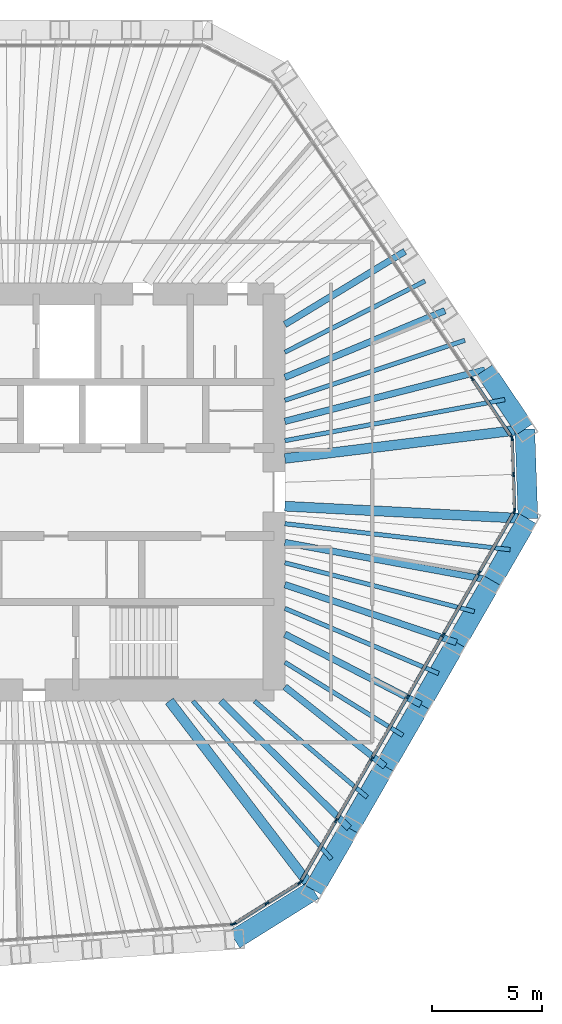
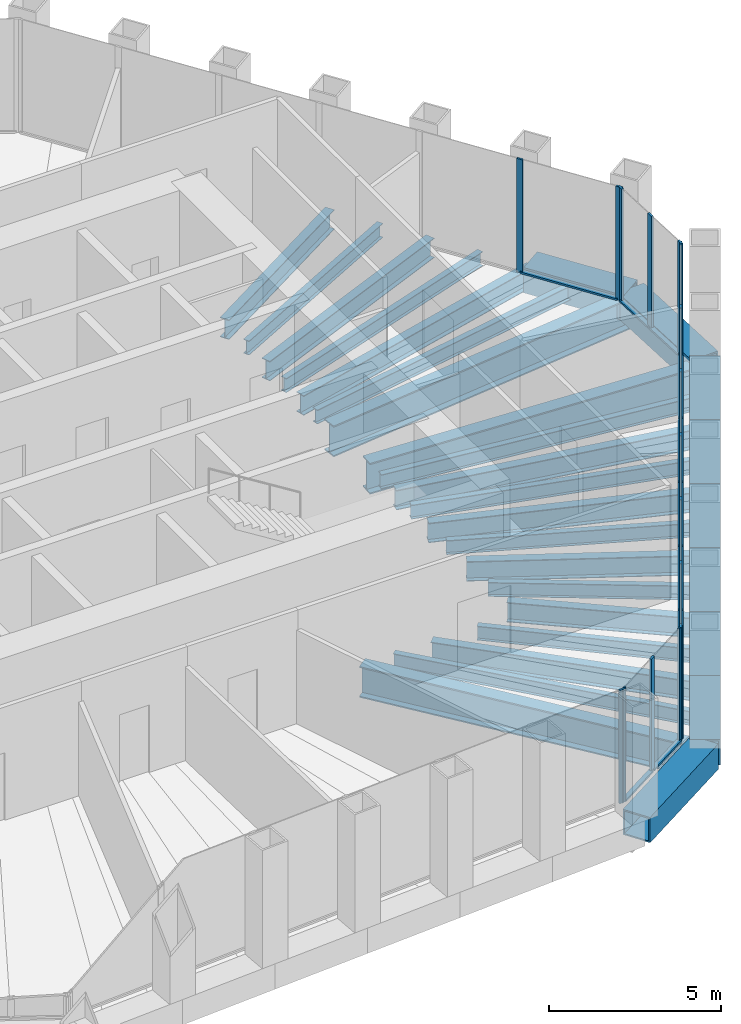
# One storey, part 5 of 14: 29 beams, 27 members, 5 elements without a shape of their own.
"""IFC4 building model written with IfcOpenShell, lengths in metres."""

from ifc_helpers import new_model, si_unit, direction, frame, origin, origin_2d, place, context, subcontext, project, spatial, rectangle, hollow_rectangle, i_section, extrude, material, material_profile, profile_set, type_object, element, aggregate, save


model = new_model("IFC4")

# Units and contexts
model_context = context("Model", 3, precision=1e-05, world=origin(), true_north=direction((0.0, 1.0)))
body_context = subcontext(model_context, "Body", "Model", "MODEL_VIEW")
ifc_project = project(units=[si_unit("LENGTHUNIT", "METRE"), si_unit("AREAUNIT", "SQUARE_METRE"), si_unit("VOLUMEUNIT", "CUBIC_METRE"), si_unit("PLANEANGLEUNIT", "RADIAN"), si_unit("MASSUNIT", "GRAM", prefix="KILO")], contexts=[model_context])

# Site, building, storey
site_placement = place(None, origin())
site = spatial("IfcSite", under=ifc_project, at=site_placement, CompositionType="ELEMENT")
building_placement = place(site_placement, origin())
building = spatial("IfcBuilding", under=site, at=building_placement, Name="Qingtian Harvest Tower", CompositionType="ELEMENT")
storey_placement = place(building_placement, frame((0.0, 0.0, 270.39990234375)))
storey = spatial("IfcBuildingStorey", under=building, at=storey_placement, Name="L59", CompositionType="ELEMENT", Elevation=270.39990234375)

# Beams
ifc_material_1 = material(Name="Steel SM570MC", Category="steel")
ifc_material_profile_1 = material_profile(ifc_material_1, i_section(OverallWidth=0.449951171875, OverallDepth=1.10009765625, WebThickness=0.02197265625, FlangeThickness=0.044921875, at=origin_2d()), Name="H1100x450x22x45")
ifc_profile_set_1 = profile_set([ifc_material_profile_1], Name="Steel SM570MC")
beam_type_1 = type_object("IfcBeamType", Name="Corner floor beam FB8 H1100x450x22x45", PredefinedType="BEAM", material=ifc_profile_set_1)
beam_1_placement = place(storey_placement, frame((23.405517578125, 2.85400390625, -0.719970703125), z_axis=(-0.99264704984, -0.12104476215, 0.0), x_axis=(0.12104476215, -0.99264704984, 0.0)))
element("IfcBeam", 1, at=beam_1_placement, inside=storey, type_object=beam_type_1, Name="Floor beam FB8 NE6", PredefinedType="BEAM", context=body_context, shape_type="SweptSolid", body=[
    extrude(i_section(OverallWidth=0.449951171875, OverallDepth=1.10009765625, WebThickness=0.02197265625, FlangeThickness=0.044921875, at=origin_2d()), origin(), (0.0, 0.0, 1.0), 10.986328125),
])
beam_2_placement = place(storey_placement, frame((23.547607421875, -1.21435546875, -0.719970703125), z_axis=(-0.998672453152, 0.051510497131, 0.0), x_axis=(-0.051510497131, -0.998672453152, 0.0)))
element("IfcBeam", 2, at=beam_2_placement, inside=storey, type_object=beam_type_1, Name="Floor beam FB8 SE0", PredefinedType="BEAM", context=body_context, shape_type="SweptSolid", body=[
    extrude(i_section(OverallWidth=0.449951171875, OverallDepth=1.10009765625, WebThickness=0.02197265625, FlangeThickness=0.044921875, at=origin_2d()), origin(), (0.0, 0.0, 1.0), 11.062255859375),
])
beam_3_placement = place(storey_placement, frame((13.803466796875, -18.091552734375, -0.719970703125), z_axis=(-0.60658352266, 0.795019767073, 0.0), x_axis=(-0.795019767073, -0.60658352266, 0.0)))
element("IfcBeam", 3, at=beam_3_placement, inside=storey, type_object=beam_type_1, Name="Floor beam FB8 SE6", PredefinedType="BEAM", context=body_context, shape_type="SweptSolid", body=[
    extrude(i_section(OverallWidth=0.449951171875, OverallDepth=1.10009765625, WebThickness=0.02197265625, FlangeThickness=0.044921875, at=origin_2d()), origin(), (0.0, 0.0, 1.0), 10.806640625),
])
ifc_material_2 = material(Name="Steel SN490B", Category="steel")
ifc_material_profile_2 = material_profile(ifc_material_2, i_section(OverallWidth=0.300048828125, OverallDepth=0.699951171875, WebThickness=0.012939453125, FlangeThickness=0.02392578125, at=origin_2d()), Name="H700x300x13x24")
ifc_profile_set_2 = profile_set([ifc_material_profile_2], Name="Steel SN490B")
beam_type_2 = type_object("IfcBeamType", Name="Floor beam FB4 H700x300x13x24", PredefinedType="BEAM", material=ifc_profile_set_2)
beam_4_placement = place(storey_placement, frame((17.956787109375, 10.93212890625, -0.52001953125), z_axis=(-0.854163869478, -0.520003926983, 0.0), x_axis=(0.520003926983, -0.854163869478, 0.0)))
element("IfcBeam", 4, at=beam_4_placement, inside=storey, type_object=beam_type_2, Name="Floor beam FB4 NE3", PredefinedType="BEAM", context=body_context, shape_type="SweptSolid", body=[
    extrude(i_section(OverallWidth=0.300048828125, OverallDepth=0.699951171875, WebThickness=0.012939453125, FlangeThickness=0.02392578125, at=origin_2d()), origin(), (0.0, 0.0, 1.0), 6.388427734375),
])
beam_5_placement = place(storey_placement, frame((19.77294921875, 8.2392578125, -0.52001953125), z_axis=(-0.923071422518, -0.38462858569, 0.0), x_axis=(0.38462858569, -0.923071422518, 0.0)))
element("IfcBeam", 5, at=beam_5_placement, inside=storey, type_object=beam_type_2, Name="Floor beam FB4 NE4", PredefinedType="BEAM", context=body_context, shape_type="SweptSolid", body=[
    extrude(i_section(OverallWidth=0.300048828125, OverallDepth=0.699951171875, WebThickness=0.012939453125, FlangeThickness=0.02392578125, at=origin_2d()), origin(), (0.0, 0.0, 1.0), 7.879150390625),
])
beam_6_placement = place(storey_placement, frame((21.58935546875, 5.546630859375, -0.52001953125), z_axis=(-0.968545797703, -0.248835362746, 0.0), x_axis=(0.248835362746, -0.968545797703, 0.0)))
element("IfcBeam", 6, at=beam_6_placement, inside=storey, type_object=beam_type_2, Name="Floor beam FB4 NE5", PredefinedType="BEAM", context=body_context, shape_type="SweptSolid", body=[
    extrude(i_section(OverallWidth=0.300048828125, OverallDepth=0.699951171875, WebThickness=0.012939453125, FlangeThickness=0.02392578125, at=origin_2d()), origin(), (0.0, 0.0, 1.0), 9.384521484375),
])
beam_7_placement = place(storey_placement, frame((21.923583984375, -4.027099609375, -0.52001953125), z_axis=(-0.983545410638, 0.180661078303, 0.0), x_axis=(-0.180661078303, -0.983545410638, 0.0)))
element("IfcBeam", 7, at=beam_7_placement, inside=storey, type_object=beam_type_2, Name="Floor beam FB4 SE1", PredefinedType="BEAM", context=body_context, shape_type="SweptSolid", body=[
    extrude(i_section(OverallWidth=0.300048828125, OverallDepth=0.699951171875, WebThickness=0.012939453125, FlangeThickness=0.02392578125, at=origin_2d()), origin(), (0.0, 0.0, 1.0), 9.581298828125),
])
beam_8_placement = place(storey_placement, frame((20.299560546875, -6.840087890625, -0.52001953125), z_axis=(-0.947645968799, 0.319322905253, 0.0), x_axis=(-0.319322905253, -0.947645968799, 0.0)))
element("IfcBeam", 8, at=beam_8_placement, inside=storey, type_object=beam_type_2, Name="Floor beam FB4 SE2", PredefinedType="BEAM", context=body_context, shape_type="SweptSolid", body=[
    extrude(i_section(OverallWidth=0.300048828125, OverallDepth=0.699951171875, WebThickness=0.012939453125, FlangeThickness=0.02392578125, at=origin_2d()), origin(), (0.0, 0.0, 1.0), 8.23046875),
])
beam_9_placement = place(storey_placement, frame((18.675537109375, -9.65283203125, -0.52001953125), z_axis=(-0.888355479692, 0.459156336884, 0.0), x_axis=(-0.459156336884, -0.888355479692, 0.0)))
element("IfcBeam", 9, at=beam_9_placement, inside=storey, type_object=beam_type_2, Name="Floor beam FB4 SE3", PredefinedType="BEAM", context=body_context, shape_type="SweptSolid", body=[
    extrude(i_section(OverallWidth=0.300048828125, OverallDepth=0.699951171875, WebThickness=0.012939453125, FlangeThickness=0.02392578125, at=origin_2d()), origin(), (0.0, 0.0, 1.0), 6.95166015625),
])
beam_10_placement = place(storey_placement, frame((17.051513671875, -12.4658203125, -0.52001953125), z_axis=(-0.783003151269, 0.622017736968, 0.0), x_axis=(-0.622017736968, -0.783003151269, 0.0)))
element("IfcBeam", 10, at=beam_10_placement, inside=storey, type_object=beam_type_2, Name="Floor beam FB4 SE4", PredefinedType="BEAM", context=body_context, shape_type="SweptSolid", body=[
    extrude(i_section(OverallWidth=0.300048828125, OverallDepth=0.699951171875, WebThickness=0.012939453125, FlangeThickness=0.02392578125, at=origin_2d()), origin(), (0.0, 0.0, 1.0), 5.81298828125),
])
beam_11_placement = place(storey_placement, frame((15.427490234375, -15.278564453125, -0.52001953125), z_axis=(-0.710532187344, 0.703664700513, 0.0), x_axis=(-0.703664700513, -0.710532187344, 0.0)))
element("IfcBeam", 11, at=beam_11_placement, inside=storey, type_object=beam_type_2, Name="Floor beam FB4 SE5", PredefinedType="BEAM", context=body_context, shape_type="SweptSolid", body=[
    extrude(i_section(OverallWidth=0.300048828125, OverallDepth=0.699951171875, WebThickness=0.012939453125, FlangeThickness=0.02392578125, at=origin_2d()), origin(), (0.0, 0.0, 1.0), 8.212158203125),
])
ifc_material_3 = material(Name="Steel SN490B", Category="steel")
ifc_material_profile_3 = material_profile(ifc_material_3, i_section(OverallWidth=0.199951171875, OverallDepth=0.5, WebThickness=0.010009765625, FlangeThickness=0.01611328125, at=origin_2d()), Name="H500x200x10x16")
ifc_profile_set_3 = profile_set([ifc_material_profile_3], Name="Steel SN490B")
beam_type_3 = type_object("IfcBeamType", Name="Floor joist J3 H500x200x10x16", PredefinedType="JOIST", material=ifc_profile_set_3)
beam_12_placement = place(storey_placement, frame((18.864990234375, 9.585693359375, -0.419921875), z_axis=(-0.891515522375, -0.452990147094, 0.0), x_axis=(0.452990147094, -0.891515522375, 0.0)))
element("IfcBeam", 12, at=beam_12_placement, inside=storey, type_object=beam_type_3, Name="Floor joist J3 NE3", PredefinedType="JOIST", context=body_context, shape_type="SweptSolid", body=[
    extrude(i_section(OverallWidth=0.199951171875, OverallDepth=0.5, WebThickness=0.010009765625, FlangeThickness=0.01611328125, at=origin_2d()), origin(), (0.0, 0.0, 1.0), 7.139404296875),
])
beam_13_placement = place(storey_placement, frame((20.68115234375, 6.89306640625, -0.419921875), z_axis=(-0.94869179092, -0.316202286267, 0.0), x_axis=(0.316202286267, -0.94869179092, 0.0)))
element("IfcBeam", 13, at=beam_13_placement, inside=storey, type_object=beam_type_3, Name="Floor joist J3 NE4", PredefinedType="JOIST", context=body_context, shape_type="SweptSolid", body=[
    extrude(i_section(OverallWidth=0.199951171875, OverallDepth=0.5, WebThickness=0.010009765625, FlangeThickness=0.01611328125, at=origin_2d()), origin(), (0.0, 0.0, 1.0), 8.62353515625),
])
beam_14_placement = place(storey_placement, frame((22.49755859375, 4.2001953125, -0.419921875), z_axis=(-0.983015918388, -0.183520310038, 0.0), x_axis=(0.183520310038, -0.983015918388, 0.0)))
element("IfcBeam", 14, at=beam_14_placement, inside=storey, type_object=beam_type_3, Name="Floor joist J3 NE5", PredefinedType="JOIST", context=body_context, shape_type="SweptSolid", body=[
    extrude(i_section(OverallWidth=0.199951171875, OverallDepth=0.5, WebThickness=0.010009765625, FlangeThickness=0.01611328125, at=origin_2d()), origin(), (0.0, 0.0, 1.0), 10.17041015625),
])
beam_15_placement = place(storey_placement, frame((22.735595703125, -2.62060546875, -0.419921875), z_axis=(-0.993423767351, 0.114495495381, 0.0), x_axis=(-0.114495495381, -0.993423767351, 0.0)))
element("IfcBeam", 15, at=beam_15_placement, inside=storey, type_object=beam_type_3, Name="Floor joist J3 SE0", PredefinedType="JOIST", context=body_context, shape_type="SweptSolid", body=[
    extrude(i_section(OverallWidth=0.199951171875, OverallDepth=0.5, WebThickness=0.010009765625, FlangeThickness=0.01611328125, at=origin_2d()), origin(), (0.0, 0.0, 1.0), 10.303466796875),
])
beam_16_placement = place(storey_placement, frame((21.111572265625, -5.43359375, -0.419921875), z_axis=(-0.968434631662, 0.249267655738, 0.0), x_axis=(-0.249267655738, -0.968434631662, 0.0)))
element("IfcBeam", 16, at=beam_16_placement, inside=storey, type_object=beam_type_3, Name="Floor joist J3 SE1", PredefinedType="JOIST", context=body_context, shape_type="SweptSolid", body=[
    extrude(i_section(OverallWidth=0.199951171875, OverallDepth=0.5, WebThickness=0.010009765625, FlangeThickness=0.01611328125, at=origin_2d()), origin(), (0.0, 0.0, 1.0), 8.892333984375),
])
beam_17_placement = place(storey_placement, frame((19.487548828125, -8.246337890625, -0.419921875), z_axis=(-0.920942823677, 0.389697723265, 0.0), x_axis=(-0.389697723265, -0.920942823677, 0.0)))
element("IfcBeam", 17, at=beam_17_placement, inside=storey, type_object=beam_type_3, Name="Floor joist J3 SE2", PredefinedType="JOIST", context=body_context, shape_type="SweptSolid", body=[
    extrude(i_section(OverallWidth=0.199951171875, OverallDepth=0.5, WebThickness=0.010009765625, FlangeThickness=0.01611328125, at=origin_2d()), origin(), (0.0, 0.0, 1.0), 7.58740234375),
])
beam_18_placement = place(storey_placement, frame((17.863525390625, -11.059326171875, -0.419921875), z_axis=(-0.850245350939, 0.52638659102, 0.0), x_axis=(-0.52638659102, -0.850245350939, 0.0)))
element("IfcBeam", 18, at=beam_18_placement, inside=storey, type_object=beam_type_3, Name="Floor joist J3 SE3", PredefinedType="JOIST", context=body_context, shape_type="SweptSolid", body=[
    extrude(i_section(OverallWidth=0.199951171875, OverallDepth=0.5, WebThickness=0.010009765625, FlangeThickness=0.01611328125, at=origin_2d()), origin(), (0.0, 0.0, 1.0), 6.30810546875),
])
beam_19_placement = place(storey_placement, frame((16.239501953125, -13.8720703125, -0.419921875), z_axis=(-0.760351288112, 0.649512061987, 0.0), x_axis=(-0.649512061987, -0.760351288112, 0.0)))
element("IfcBeam", 19, at=beam_19_placement, inside=storey, type_object=beam_type_3, Name="Floor joist J3 SE4", PredefinedType="JOIST", context=body_context, shape_type="SweptSolid", body=[
    extrude(i_section(OverallWidth=0.199951171875, OverallDepth=0.5, WebThickness=0.010009765625, FlangeThickness=0.01611328125, at=origin_2d()), origin(), (0.0, 0.0, 1.0), 6.731201171875),
])
beam_20_placement = place(storey_placement, frame((14.615478515625, -16.68505859375, -0.419921875), z_axis=(-0.658906232771, 0.752225083612, 0.0), x_axis=(-0.752225083612, -0.658906232771, 0.0)))
element("IfcBeam", 20, at=beam_20_placement, inside=storey, type_object=beam_type_3, Name="Floor joist J3 SE5", PredefinedType="JOIST", context=body_context, shape_type="SweptSolid", body=[
    extrude(i_section(OverallWidth=0.199951171875, OverallDepth=0.5, WebThickness=0.010009765625, FlangeThickness=0.01611328125, at=origin_2d()), origin(), (0.0, 0.0, 1.0), 9.5517578125),
])

# Curtain wall, members
ifc_material_4 = material(Name="Bronze-anodised aluminium curtain wall", Category="aluminium")
curtain_wall_type = type_object("IfcCurtainWallType", Name="Curtain wall CW5 upper office", PredefinedType="USERDEFINED", material=ifc_material_4)
curtain_wall_1_placement = place(storey_placement, origin())
curtain_wall_1 = element("IfcCurtainWall", 21, at=curtain_wall_1_placement, inside=storey, type_object=curtain_wall_type, Name="Curtain wall CW5 L59 NE0-5", ObjectType="RECESSED CURTAIN WALL", PredefinedType="USERDEFINED")
ifc_material_5 = material(Name="Bronze-anodised aluminium mullion", Category="aluminium")
ifc_material_profile_4 = material_profile(ifc_material_5, rectangle(XDim=0.06494140625, YDim=0.199951171875, at=origin_2d()), Name="AL 65x200")
ifc_profile_set_4 = profile_set([ifc_material_profile_4], Name="Bronze-anodised aluminium mullion")
member_type_1 = type_object("IfcMemberType", Name="Mullion CWM 65x200", PredefinedType="MULLION", material=ifc_profile_set_4)
member_1_placement = place(storey_placement, frame((21.009033203125, 5.1552734375, 0.0), z_axis=(0.0, 0.0, 1.0), x_axis=(0.829037572555, 0.559192903471, 0.0)))
member_1 = element("IfcMember", 22, at=member_1_placement, type_object=member_type_1, Name="CW5 mullion 6", PredefinedType="MULLION", context=body_context, shape_type="SweptSolid", body=[
    extrude(rectangle(XDim=0.06494140625, YDim=0.199951171875, at=origin_2d()), origin(), (0.0, 0.0, 1.0), 4.030029296875),
])
member_2_placement = place(storey_placement, frame((22.80712890625, 2.489501953125, 0.0), z_axis=(0.0, 0.0, 1.0), x_axis=(0.829037572555, 0.559192903471, 0.0)))
member_2 = element("IfcMember", 23, at=member_2_placement, type_object=member_type_1, Name="CW5 mullion 7", PredefinedType="MULLION", context=body_context, shape_type="SweptSolid", body=[
    extrude(rectangle(XDim=0.06494140625, YDim=0.199951171875, at=origin_2d()), origin(), (0.0, 0.0, 1.0), 4.030029296875),
])

curtain_wall_2_placement = place(storey_placement, origin())
curtain_wall_2 = element("IfcCurtainWall", 24, at=curtain_wall_2_placement, inside=storey, type_object=curtain_wall_type, Name="Curtain wall CW5 L59 NEC", ObjectType="RECESSED CURTAIN WALL", PredefinedType="USERDEFINED")
member_3_placement = place(storey_placement, frame((22.826416015625, 2.429931640625, 0.0), z_axis=(0.0, 0.0, 1.0), x_axis=(0.999390827019, 0.034899496703, 0.0)))
member_3 = element("IfcMember", 25, at=member_3_placement, type_object=member_type_1, Name="CW5 mullion 1", PredefinedType="MULLION", context=body_context, shape_type="SweptSolid", body=[
    extrude(rectangle(XDim=0.06494140625, YDim=0.199951171875, at=origin_2d()), origin(), (0.0, 0.0, 1.0), 4.030029296875),
])
member_4_placement = place(storey_placement, frame((22.88330078125, 0.799072265625, 0.0), z_axis=(0.0, 0.0, 1.0), x_axis=(0.999390827019, 0.034899496703, 0.0)))
member_4 = element("IfcMember", 26, at=member_4_placement, type_object=member_type_1, Name="CW5 mullion 2", PredefinedType="MULLION", context=body_context, shape_type="SweptSolid", body=[
    extrude(rectangle(XDim=0.06494140625, YDim=0.199951171875, at=origin_2d()), origin(), (0.0, 0.0, 1.0), 4.030029296875),
])
member_5_placement = place(storey_placement, frame((22.9404296875, -0.831787109375, 0.0), z_axis=(0.0, 0.0, 1.0), x_axis=(0.999390827019, 0.034899496703, 0.0)))
member_5 = element("IfcMember", 27, at=member_5_placement, type_object=member_type_1, Name="CW5 mullion 3", PredefinedType="MULLION", context=body_context, shape_type="SweptSolid", body=[
    extrude(rectangle(XDim=0.06494140625, YDim=0.199951171875, at=origin_2d()), origin(), (0.0, 0.0, 1.0), 4.030029296875),
])

curtain_wall_3_placement = place(storey_placement, origin())
curtain_wall_3 = element("IfcCurtainWall", 28, at=curtain_wall_3_placement, inside=storey, type_object=curtain_wall_type, Name="Curtain wall CW5 L59 SE0-5", ObjectType="RECESSED CURTAIN WALL", PredefinedType="USERDEFINED")
member_6_placement = place(storey_placement, frame((22.92529296875, -0.892333984375, 0.0), z_axis=(0.0, 0.0, 1.0), x_axis=(0.866025403784, -0.5, 0.0)))
member_6 = element("IfcMember", 29, at=member_6_placement, type_object=member_type_1, Name="CW5 mullion 1", PredefinedType="MULLION", context=body_context, shape_type="SweptSolid", body=[
    extrude(rectangle(XDim=0.06494140625, YDim=0.199951171875, at=origin_2d()), origin(), (0.0, 0.0, 1.0), 4.030029296875),
])
member_7_placement = place(storey_placement, frame((21.3173828125, -3.67724609375, 0.0), z_axis=(0.0, 0.0, 1.0), x_axis=(0.866025403784, -0.5, 0.0)))
member_7 = element("IfcMember", 30, at=member_7_placement, type_object=member_type_1, Name="CW5 mullion 2", PredefinedType="MULLION", context=body_context, shape_type="SweptSolid", body=[
    extrude(rectangle(XDim=0.06494140625, YDim=0.199951171875, at=origin_2d()), origin(), (0.0, 0.0, 1.0), 4.030029296875),
])
member_8_placement = place(storey_placement, frame((19.693359375, -6.489990234375, 0.0), z_axis=(0.0, 0.0, 1.0), x_axis=(0.866025403784, -0.5, 0.0)))
member_8 = element("IfcMember", 31, at=member_8_placement, type_object=member_type_1, Name="CW5 mullion 3", PredefinedType="MULLION", context=body_context, shape_type="SweptSolid", body=[
    extrude(rectangle(XDim=0.06494140625, YDim=0.199951171875, at=origin_2d()), origin(), (0.0, 0.0, 1.0), 4.030029296875),
])
member_9_placement = place(storey_placement, frame((18.0693359375, -9.302978515625, 0.0), z_axis=(0.0, 0.0, 1.0), x_axis=(0.866025403784, -0.5, 0.0)))
member_9 = element("IfcMember", 32, at=member_9_placement, type_object=member_type_1, Name="CW5 mullion 4", PredefinedType="MULLION", context=body_context, shape_type="SweptSolid", body=[
    extrude(rectangle(XDim=0.06494140625, YDim=0.199951171875, at=origin_2d()), origin(), (0.0, 0.0, 1.0), 4.030029296875),
])
member_10_placement = place(storey_placement, frame((16.4453125, -12.11572265625, 0.0), z_axis=(0.0, 0.0, 1.0), x_axis=(0.866025403784, -0.5, 0.0)))
member_10 = element("IfcMember", 33, at=member_10_placement, type_object=member_type_1, Name="CW5 mullion 5", PredefinedType="MULLION", context=body_context, shape_type="SweptSolid", body=[
    extrude(rectangle(XDim=0.06494140625, YDim=0.199951171875, at=origin_2d()), origin(), (0.0, 0.0, 1.0), 4.030029296875),
])
member_11_placement = place(storey_placement, frame((14.8212890625, -14.9287109375, 0.0), z_axis=(0.0, 0.0, 1.0), x_axis=(0.866025403784, -0.5, 0.0)))
member_11 = element("IfcMember", 34, at=member_11_placement, type_object=member_type_1, Name="CW5 mullion 6", PredefinedType="MULLION", context=body_context, shape_type="SweptSolid", body=[
    extrude(rectangle(XDim=0.06494140625, YDim=0.199951171875, at=origin_2d()), origin(), (0.0, 0.0, 1.0), 4.030029296875),
])
member_12_placement = place(storey_placement, frame((13.213623046875, -17.71337890625, 0.0), z_axis=(0.0, 0.0, 1.0), x_axis=(0.866025403784, -0.5, 0.0)))
member_12 = element("IfcMember", 35, at=member_12_placement, type_object=member_type_1, Name="CW5 mullion 7", PredefinedType="MULLION", context=body_context, shape_type="SweptSolid", body=[
    extrude(rectangle(XDim=0.06494140625, YDim=0.199951171875, at=origin_2d()), origin(), (0.0, 0.0, 1.0), 4.030029296875),
])

curtain_wall_4_placement = place(storey_placement, origin())
curtain_wall_4 = element("IfcCurtainWall", 36, at=curtain_wall_4_placement, inside=storey, type_object=curtain_wall_type, Name="Curtain wall CW5 L59 SEC", ObjectType="RECESSED CURTAIN WALL", PredefinedType="USERDEFINED")
member_13_placement = place(storey_placement, frame((13.169921875, -17.7587890625, 0.0), z_axis=(0.0, 0.0, 1.0), x_axis=(0.529919264233, -0.848048096156, 0.0)))
member_13 = element("IfcMember", 37, at=member_13_placement, type_object=member_type_1, Name="CW5 mullion 1", PredefinedType="MULLION", context=body_context, shape_type="SweptSolid", body=[
    extrude(rectangle(XDim=0.06494140625, YDim=0.199951171875, at=origin_2d()), origin(), (0.0, 0.0, 1.0), 4.030029296875),
])
member_14_placement = place(storey_placement, frame((11.678955078125, -18.690185546875, 0.0), z_axis=(0.0, 0.0, 1.0), x_axis=(0.529919264233, -0.848048096156, 0.0)))
member_14 = element("IfcMember", 38, at=member_14_placement, type_object=member_type_1, Name="CW5 mullion 2", PredefinedType="MULLION", context=body_context, shape_type="SweptSolid", body=[
    extrude(rectangle(XDim=0.06494140625, YDim=0.199951171875, at=origin_2d()), origin(), (0.0, 0.0, 1.0), 4.030029296875),
])
member_15_placement = place(storey_placement, frame((10.188232421875, -19.621826171875, 0.0), z_axis=(0.0, 0.0, 1.0), x_axis=(0.529919264233, -0.848048096156, 0.0)))
member_15 = element("IfcMember", 39, at=member_15_placement, type_object=member_type_1, Name="CW5 mullion 3", PredefinedType="MULLION", context=body_context, shape_type="SweptSolid", body=[
    extrude(rectangle(XDim=0.06494140625, YDim=0.199951171875, at=origin_2d()), origin(), (0.0, 0.0, 1.0), 4.030029296875),
])

# Curtain wall, member
curtain_wall_5_placement = place(storey_placement, origin())
curtain_wall_5 = element("IfcCurtainWall", 40, at=curtain_wall_5_placement, inside=storey, type_object=curtain_wall_type, Name="Curtain wall CW5 L59 S0-5", ObjectType="RECESSED CURTAIN WALL", PredefinedType="USERDEFINED")
member_16_placement = place(storey_placement, frame((10.128173828125, -19.641357421875, 0.0), z_axis=(0.0, 0.0, 1.0), x_axis=(0.069756473744, -0.99756405026, 0.0)))
member_16 = element("IfcMember", 41, at=member_16_placement, type_object=member_type_1, Name="CW5 mullion 1", PredefinedType="MULLION", context=body_context, shape_type="SweptSolid", body=[
    extrude(rectangle(XDim=0.06494140625, YDim=0.199951171875, at=origin_2d()), origin(), (0.0, 0.0, 1.0), 4.030029296875),
])
aggregate(curtain_wall_5, [member_16])

# Beams
ifc_material_6 = material(Name="Steel SM570MC", Category="steel")
ifc_material_profile_5 = material_profile(ifc_material_6, hollow_rectangle(XDim=0.89990234375, YDim=0.89990234375, WallThickness=0.050048828125, at=origin_2d()), Name="BOX900x900x50")
ifc_profile_set_5 = profile_set([ifc_material_profile_5], Name="Steel SM570MC")
beam_type_4 = type_object("IfcBeamType", Name="Transition spandrel SB6 BOX900x900x50", PredefinedType="SPANDREL", material=ifc_profile_set_5)
beam_21_placement = place(storey_placement, frame((21.58935546875, 5.546630859375, -0.449951171875), z_axis=(0.559184924833, -0.829042954158, 0.0), x_axis=(0.829042954158, 0.559184924833, 0.0)))
element("IfcBeam", 42, at=beam_21_placement, inside=storey, type_object=beam_type_4, Name="Spandrel SB6 NE5", PredefinedType="SPANDREL", context=body_context, shape_type="SweptSolid", body=[
    extrude(hollow_rectangle(XDim=0.89990234375, YDim=0.89990234375, WallThickness=0.050048828125, at=origin_2d()), origin(), (0.0, 0.0, 1.0), 3.247802734375),
])
beam_22_placement = place(storey_placement, frame((23.405517578125, 2.85400390625, -0.449951171875), z_axis=(0.034904306503, -0.999390659046, 0.0), x_axis=(0.999390659046, 0.034904306503, 0.0)))
element("IfcBeam", 43, at=beam_22_placement, inside=storey, type_object=beam_type_4, Name="Spandrel SB6 NEC", PredefinedType="SPANDREL", context=body_context, shape_type="SweptSolid", body=[
    extrude(hollow_rectangle(XDim=0.89990234375, YDim=0.89990234375, WallThickness=0.050048828125, at=origin_2d()), origin(), (0.0, 0.0, 1.0), 4.07080078125),
])
beam_23_placement = place(storey_placement, frame((23.547607421875, -1.21435546875, -0.449951171875), z_axis=(-0.500019593356, -0.866014091259, 0.0), x_axis=(0.866014091259, -0.500019593356, 0.0)))
element("IfcBeam", 44, at=beam_23_placement, inside=storey, type_object=beam_type_4, Name="Spandrel SB6 SE0", PredefinedType="SPANDREL", context=body_context, shape_type="SweptSolid", body=[
    extrude(hollow_rectangle(XDim=0.89990234375, YDim=0.89990234375, WallThickness=0.050048828125, at=origin_2d()), origin(), (0.0, 0.0, 1.0), 3.247802734375),
])
beam_24_placement = place(storey_placement, frame((21.923583984375, -4.027099609375, -0.449951171875), z_axis=(-0.499987045439, -0.866032882975, 0.0), x_axis=(0.866032882975, -0.499987045439, 0.0)))
element("IfcBeam", 45, at=beam_24_placement, inside=storey, type_object=beam_type_4, Name="Spandrel SB6 SE1", PredefinedType="SPANDREL", context=body_context, shape_type="SweptSolid", body=[
    extrude(hollow_rectangle(XDim=0.89990234375, YDim=0.89990234375, WallThickness=0.050048828125, at=origin_2d()), origin(), (0.0, 0.0, 1.0), 3.248046875),
])
beam_25_placement = place(storey_placement, frame((20.299560546875, -6.840087890625, -0.449951171875), z_axis=(-0.500019593356, -0.866014091259, 0.0), x_axis=(0.866014091259, -0.500019593356, 0.0)))
element("IfcBeam", 46, at=beam_25_placement, inside=storey, type_object=beam_type_4, Name="Spandrel SB6 SE2", PredefinedType="SPANDREL", context=body_context, shape_type="SweptSolid", body=[
    extrude(hollow_rectangle(XDim=0.89990234375, YDim=0.89990234375, WallThickness=0.050048828125, at=origin_2d()), origin(), (0.0, 0.0, 1.0), 3.247802734375),
])
beam_26_placement = place(storey_placement, frame((18.675537109375, -9.65283203125, -0.449951171875), z_axis=(-0.499987045439, -0.866032882975, 0.0), x_axis=(0.866032882975, -0.499987045439, 0.0)))
element("IfcBeam", 47, at=beam_26_placement, inside=storey, type_object=beam_type_4, Name="Spandrel SB6 SE3", PredefinedType="SPANDREL", context=body_context, shape_type="SweptSolid", body=[
    extrude(hollow_rectangle(XDim=0.89990234375, YDim=0.89990234375, WallThickness=0.050048828125, at=origin_2d()), origin(), (0.0, 0.0, 1.0), 3.248046875),
])
beam_27_placement = place(storey_placement, frame((17.051513671875, -12.4658203125, -0.449951171875), z_axis=(-0.500019593356, -0.866014091259, 0.0), x_axis=(0.866014091259, -0.500019593356, 0.0)))
element("IfcBeam", 48, at=beam_27_placement, inside=storey, type_object=beam_type_4, Name="Spandrel SB6 SE4", PredefinedType="SPANDREL", context=body_context, shape_type="SweptSolid", body=[
    extrude(hollow_rectangle(XDim=0.89990234375, YDim=0.89990234375, WallThickness=0.050048828125, at=origin_2d()), origin(), (0.0, 0.0, 1.0), 3.247802734375),
])
beam_28_placement = place(storey_placement, frame((15.427490234375, -15.278564453125, -0.449951171875), z_axis=(-0.499987045439, -0.866032882975, 0.0), x_axis=(0.866032882975, -0.499987045439, 0.0)))
element("IfcBeam", 49, at=beam_28_placement, inside=storey, type_object=beam_type_4, Name="Spandrel SB6 SE5", PredefinedType="SPANDREL", context=body_context, shape_type="SweptSolid", body=[
    extrude(hollow_rectangle(XDim=0.89990234375, YDim=0.89990234375, WallThickness=0.050048828125, at=origin_2d()), origin(), (0.0, 0.0, 1.0), 3.248046875),
])
beam_29_placement = place(storey_placement, frame((13.803466796875, -18.091552734375, -0.449951171875), z_axis=(-0.848040374245, -0.529931621675, 0.0), x_axis=(0.529931621675, -0.848040374245, 0.0)))
element("IfcBeam", 50, at=beam_29_placement, inside=storey, type_object=beam_type_4, Name="Spandrel SB6 SEC", PredefinedType="SPANDREL", context=body_context, shape_type="SweptSolid", body=[
    extrude(hollow_rectangle(XDim=0.89990234375, YDim=0.89990234375, WallThickness=0.050048828125, at=origin_2d()), origin(), (0.0, 0.0, 1.0), 4.238037109375),
])

# Member
ifc_material_7 = material(Name="Bronze-anodised aluminium transom", Category="aluminium")
ifc_material_profile_6 = material_profile(ifc_material_7, rectangle(XDim=0.14990234375, YDim=0.06494140625, at=origin_2d()), Name="AL 65x150")
ifc_profile_set_6 = profile_set([ifc_material_profile_6], Name="Bronze-anodised aluminium transom")
member_type_2 = type_object("IfcMemberType", Name="Transom CWT 65x150", PredefinedType="USERDEFINED", material=ifc_profile_set_6)
member_17_placement = place(storey_placement, frame((21.027099609375, 5.128173828125, 0.03271484375), z_axis=(0.559198649732, -0.829033696624, 0.0), x_axis=(0.829033696624, 0.559198649732, 0.0)))
member_17 = element("IfcMember", 51, at=member_17_placement, type_object=member_type_2, Name="CW5 transom 6.1", ObjectType="TRANSOM", PredefinedType="USERDEFINED", context=body_context, shape_type="SweptSolid", body=[
    extrude(rectangle(XDim=0.14990234375, YDim=0.06494140625, at=origin_2d()), origin(), (0.0, 0.0, 1.0), 3.150390625),
])

aggregate(curtain_wall_1, [member_1, member_2, member_17])

member_18_placement = place(storey_placement, frame((22.82763671875, 2.3974609375, 0.03271484375), z_axis=(0.034902326647, -0.999390728191, 0.0), x_axis=(0.999390728191, 0.034902326647, 0.0)))
member_18 = element("IfcMember", 52, at=member_18_placement, type_object=member_type_2, Name="CW5 transom 1.1", ObjectType="TRANSOM", PredefinedType="USERDEFINED", context=body_context, shape_type="SweptSolid", body=[
    extrude(rectangle(XDim=0.14990234375, YDim=0.06494140625, at=origin_2d()), origin(), (0.0, 0.0, 1.0), 1.56689453125),
])

member_19_placement = place(storey_placement, frame((22.884521484375, 0.7666015625, 0.03271484375), z_axis=(0.034902326647, -0.999390728191, 0.0), x_axis=(0.999390728191, 0.034902326647, 0.0)))
member_19 = element("IfcMember", 53, at=member_19_placement, type_object=member_type_2, Name="CW5 transom 2.1", ObjectType="TRANSOM", PredefinedType="USERDEFINED", context=body_context, shape_type="SweptSolid", body=[
    extrude(rectangle(XDim=0.14990234375, YDim=0.06494140625, at=origin_2d()), origin(), (0.0, 0.0, 1.0), 1.56689453125),
])

aggregate(curtain_wall_2, [member_3, member_4, member_5, member_18, member_19])

member_20_placement = place(storey_placement, frame((22.908935546875, -0.920654296875, 0.03271484375), z_axis=(-0.50000643655, -0.866021687608, 0.0), x_axis=(0.866021687608, -0.50000643655, 0.0)))
member_20 = element("IfcMember", 54, at=member_20_placement, type_object=member_type_2, Name="CW5 transom 1.1", ObjectType="TRANSOM", PredefinedType="USERDEFINED", context=body_context, shape_type="SweptSolid", body=[
    extrude(rectangle(XDim=0.14990234375, YDim=0.06494140625, at=origin_2d()), origin(), (0.0, 0.0, 1.0), 3.150390625),
])

member_21_placement = place(storey_placement, frame((21.30126953125, -3.705322265625, 0.03271484375), z_axis=(-0.5000079448, -0.866020816803, 0.0), x_axis=(0.866020816803, -0.5000079448, 0.0)))
member_21 = element("IfcMember", 55, at=member_21_placement, type_object=member_type_2, Name="CW5 transom 2.1", ObjectType="TRANSOM", PredefinedType="USERDEFINED", context=body_context, shape_type="SweptSolid", body=[
    extrude(rectangle(XDim=0.14990234375, YDim=0.06494140625, at=origin_2d()), origin(), (0.0, 0.0, 1.0), 3.18310546875),
])

member_22_placement = place(storey_placement, frame((19.67724609375, -6.51806640625, 0.03271484375), z_axis=(-0.5000079448, -0.866020816803, 0.0), x_axis=(0.866020816803, -0.5000079448, 0.0)))
member_22 = element("IfcMember", 56, at=member_22_placement, type_object=member_type_2, Name="CW5 transom 3.1", ObjectType="TRANSOM", PredefinedType="USERDEFINED", context=body_context, shape_type="SweptSolid", body=[
    extrude(rectangle(XDim=0.14990234375, YDim=0.06494140625, at=origin_2d()), origin(), (0.0, 0.0, 1.0), 3.18310546875),
])

member_23_placement = place(storey_placement, frame((18.05322265625, -9.3310546875, 0.03271484375), z_axis=(-0.5000079448, -0.866020816803, 0.0), x_axis=(0.866020816803, -0.5000079448, 0.0)))
member_23 = element("IfcMember", 57, at=member_23_placement, type_object=member_type_2, Name="CW5 transom 4.1", ObjectType="TRANSOM", PredefinedType="USERDEFINED", context=body_context, shape_type="SweptSolid", body=[
    extrude(rectangle(XDim=0.14990234375, YDim=0.06494140625, at=origin_2d()), origin(), (0.0, 0.0, 1.0), 3.18310546875),
])

member_24_placement = place(storey_placement, frame((16.42919921875, -12.143798828125, 0.03271484375), z_axis=(-0.5000079448, -0.866020816803, 0.0), x_axis=(0.866020816803, -0.5000079448, 0.0)))
member_24 = element("IfcMember", 58, at=member_24_placement, type_object=member_type_2, Name="CW5 transom 5.1", ObjectType="TRANSOM", PredefinedType="USERDEFINED", context=body_context, shape_type="SweptSolid", body=[
    extrude(rectangle(XDim=0.14990234375, YDim=0.06494140625, at=origin_2d()), origin(), (0.0, 0.0, 1.0), 3.18310546875),
])

member_25_placement = place(storey_placement, frame((14.80517578125, -14.956787109375, 0.03271484375), z_axis=(-0.499972881236, -0.866041060244, 0.0), x_axis=(0.866041060244, -0.499972881236, 0.0)))
member_25 = element("IfcMember", 59, at=member_25_placement, type_object=member_type_2, Name="CW5 transom 6.1", ObjectType="TRANSOM", PredefinedType="USERDEFINED", context=body_context, shape_type="SweptSolid", body=[
    extrude(rectangle(XDim=0.14990234375, YDim=0.06494140625, at=origin_2d()), origin(), (0.0, 0.0, 1.0), 3.150634765625),
])

aggregate(curtain_wall_3, [member_6, member_7, member_8, member_9, member_10, member_11, member_12, member_20, member_21, member_22, member_23, member_24, member_25])

member_26_placement = place(storey_placement, frame((13.142333984375, -17.77587890625, 0.03271484375), z_axis=(-0.84803880708, -0.529934129573, 0.0), x_axis=(0.529934129573, -0.84803880708, 0.0)))
member_26 = element("IfcMember", 60, at=member_26_placement, type_object=member_type_2, Name="CW5 transom 1.1", ObjectType="TRANSOM", PredefinedType="USERDEFINED", context=body_context, shape_type="SweptSolid", body=[
    extrude(rectangle(XDim=0.14990234375, YDim=0.06494140625, at=origin_2d()), origin(), (0.0, 0.0, 1.0), 1.693115234375),
])

member_27_placement = place(storey_placement, frame((11.6513671875, -18.70751953125, 0.03271484375), z_axis=(-0.847998304005, -0.529998940003, 0.0), x_axis=(0.529998940003, -0.847998304005, 0.0)))
member_27 = element("IfcMember", 61, at=member_27_placement, type_object=member_type_2, Name="CW5 transom 2.1", ObjectType="TRANSOM", PredefinedType="USERDEFINED", context=body_context, shape_type="SweptSolid", body=[
    extrude(rectangle(XDim=0.14990234375, YDim=0.06494140625, at=origin_2d()), origin(), (0.0, 0.0, 1.0), 1.69287109375),
])

aggregate(curtain_wall_4, [member_13, member_14, member_15, member_26, member_27])

save(model, "model.ifc")
